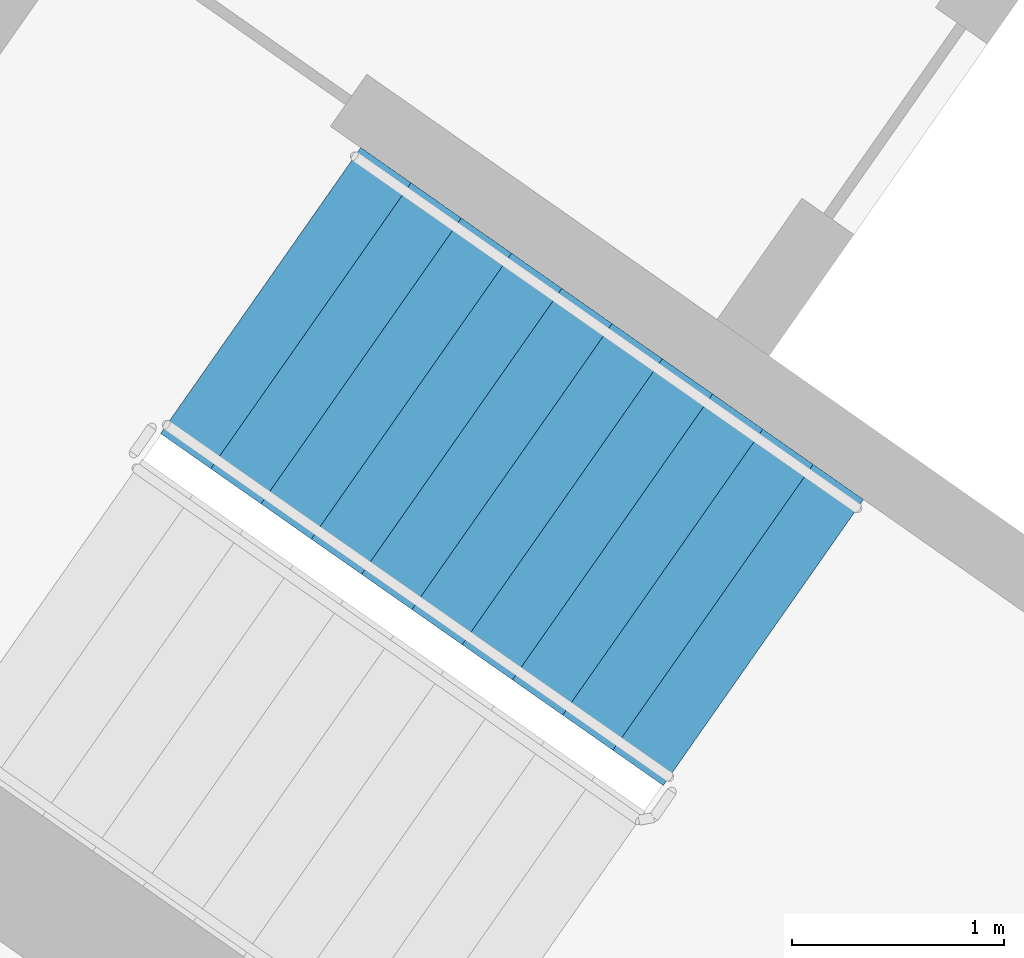
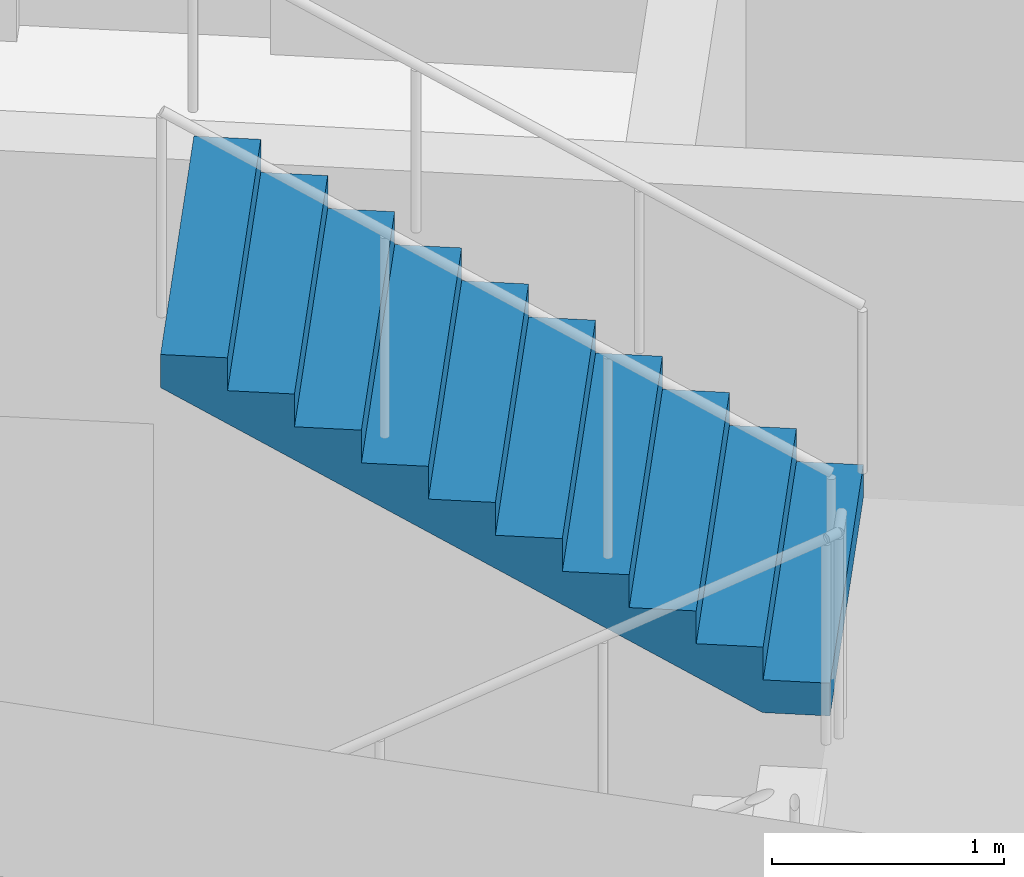
# One storey, part 10 of 26: 1 stair flight, 1 element without a shape of its own.
"""IFC4 building model written with IfcOpenShell, lengths in metres."""

from ifc_helpers import new_model, si_unit, direction, frame, origin, place, context, subcontext, project, spatial, faceted_brep, material, type_object, element, aggregate, save


model = new_model("IFC4")

# Units and contexts
model_context = context("Model", 3, precision=1e-05, world=origin(), true_north=direction((0.0, 1.0)))
body_context = subcontext(model_context, "Body", "Model", "MODEL_VIEW")
ifc_project = project(units=[si_unit("LENGTHUNIT", "METRE"), si_unit("AREAUNIT", "SQUARE_METRE"), si_unit("VOLUMEUNIT", "CUBIC_METRE"), si_unit("PLANEANGLEUNIT", "RADIAN"), si_unit("MASSUNIT", "GRAM", prefix="KILO")], contexts=[model_context])

# Site, building, storey
site_placement = place(None, origin())
site = spatial("IfcSite", under=ifc_project, at=site_placement, CompositionType="ELEMENT")
building_placement = place(site_placement, origin())
building = spatial("IfcBuilding", under=site, at=building_placement, Name="Qamariyya Broadcast Tower", CompositionType="ELEMENT")
storey_placement = place(building_placement, frame((0.0, 0.0, 160.699951171875)))
storey = spatial("IfcBuildingStorey", under=building, at=storey_placement, Name="L37", CompositionType="ELEMENT", Elevation=160.699951171875)

# Stair, stair flight
ifc_material = material(Name="Concrete C50/60", Category="concrete")
stair_type = type_object("IfcStairType", Name="Exit stair 22 risers of 173 mm", PredefinedType="HALF_TURN_STAIR", material=ifc_material)
stair_placement = place(storey_placement, origin())
stair = element("IfcStair", 1, at=stair_placement, inside=storey, type_object=stair_type, Name="L37 Stair W1", PredefinedType="HALF_TURN_STAIR")
stair_flight_type = type_object("IfcStairFlightType", Name="Exit stair flight 11 risers of 173 mm", PredefinedType="STRAIGHT", material=ifc_material)
stair_flight_placement = place(storey_placement, frame((-43.660888671875, -57.17138671875, 1.900146484375), z_axis=(0.0, 0.0, 1.0), x_axis=(-0.819152044289, 0.573576436351, 0.0)))
stair_flight = element("IfcStairFlight", 2, at=stair_flight_placement, type_object=stair_flight_type, Name="ST-W1 flight 2", NumberOfRisers=11, NumberOfTreads=10, PredefinedType="STRAIGHT", RiserHeight=0.172727273, TreadLength=0.29, context=body_context, shape_type="Brep", body=[
    faceted_brep([(0.0, 0.824951171875, 0.0), (0.0, 0.824951171875, 0.172607421875), (0.2900390625, 0.824951171875, 0.172607421875), (0.2900390625, 0.824951171875, 0.345458984375), (0.580078125, 0.824951171875, 0.345458984375), (0.580078125, 0.824951171875, 0.51806640625), (0.8701171875, 0.824951171875, 0.51806640625), (0.8701171875, 0.824951171875, 0.69091796875), (1.159912109375, 0.824951171875, 0.69091796875), (1.159912109375, 0.824951171875, 0.863525390625), (1.449951171875, 0.824951171875, 0.863525390625), (1.449951171875, 0.824951171875, 1.036376953125), (1.739990234375, 0.824951171875, 1.036376953125), (1.739990234375, 0.824951171875, 1.208984375), (2.030029296875, 0.824951171875, 1.208984375), (2.030029296875, 0.824951171875, 1.3818359375), (2.320068359375, 0.824951171875, 1.3818359375), (2.320068359375, 0.824951171875, 1.554443359375), (2.610107421875, 0.824951171875, 1.554443359375), (2.610107421875, 0.824951171875, 1.727294921875), (2.89990234375, 0.824951171875, 1.727294921875), (2.89990234375, 0.824951171875, 1.552734375), (0.29296875, 0.824951171875, 0.0), (0.29296875, -0.824951171875, 0.0), (2.89990234375, -0.824951171875, 1.552734375), (2.89990234375, -0.824951171875, 1.727294921875), (2.610107421875, -0.824951171875, 1.727294921875), (2.610107421875, -0.824951171875, 1.554443359375), (2.320068359375, -0.824951171875, 1.554443359375), (2.320068359375, -0.824951171875, 1.3818359375), (2.030029296875, -0.824951171875, 1.3818359375), (2.030029296875, -0.824951171875, 1.208984375), (1.739990234375, -0.824951171875, 1.208984375), (1.739990234375, -0.824951171875, 1.036376953125), (1.449951171875, -0.824951171875, 1.036376953125), (1.449951171875, -0.824951171875, 0.863525390625), (1.159912109375, -0.824951171875, 0.863525390625), (1.159912109375, -0.824951171875, 0.69091796875), (0.8701171875, -0.824951171875, 0.69091796875), (0.8701171875, -0.824951171875, 0.51806640625), (0.580078125, -0.824951171875, 0.51806640625), (0.580078125, -0.824951171875, 0.345458984375), (0.2900390625, -0.824951171875, 0.345458984375), (0.2900390625, -0.824951171875, 0.172607421875), (0.0, -0.824951171875, 0.172607421875), (0.0, -0.824951171875, 0.0), (0.0, 0.10009765625, 0.0), (0.0, 0.086669921875, 0.0), (0.0, 0.0732421875, 0.0), (0.0, 0.06005859375, 0.0), (0.0, 0.046630859375, 0.0), (0.0, 0.033447265625, 0.0), (0.0, 0.02001953125, 0.0), (0.0, 0.006591796875, 0.0), (0.0, -0.006591796875, 0.0), (0.0, -0.02001953125, 0.0), (0.0, -0.033447265625, 0.0), (0.0, -0.046630859375, 0.0), (0.0, -0.06005859375, 0.0), (0.0, -0.0732421875, 0.0), (0.0, -0.086669921875, 0.0), (0.0, -0.10009765625, 0.0), (0.0, -0.10009765625, 0.172607421875), (0.0, -0.086669921875, 0.172607421875), (0.0, -0.0732421875, 0.172607421875), (0.0, -0.06005859375, 0.172607421875), (0.0, -0.046630859375, 0.172607421875), (0.0, -0.033447265625, 0.172607421875), (0.0, -0.02001953125, 0.172607421875), (0.0, -0.006591796875, 0.172607421875), (0.0, 0.006591796875, 0.172607421875), (0.0, 0.02001953125, 0.172607421875), (0.0, 0.033447265625, 0.172607421875), (0.0, 0.046630859375, 0.172607421875), (0.0, 0.06005859375, 0.172607421875), (0.0, 0.0732421875, 0.172607421875), (0.0, 0.086669921875, 0.172607421875), (0.0, 0.10009765625, 0.172607421875), (0.2900390625, -0.10009765625, 0.172607421875), (0.2900390625, -0.086669921875, 0.172607421875), (0.2900390625, -0.0732421875, 0.172607421875), (0.2900390625, -0.06005859375, 0.172607421875), (0.2900390625, -0.046630859375, 0.172607421875), (0.2900390625, -0.033447265625, 0.172607421875), (0.2900390625, -0.02001953125, 0.172607421875), (0.2900390625, -0.006591796875, 0.172607421875), (0.2900390625, 0.006591796875, 0.172607421875), (0.2900390625, 0.02001953125, 0.172607421875), (0.2900390625, 0.033447265625, 0.172607421875), (0.2900390625, 0.046630859375, 0.172607421875), (0.2900390625, 0.06005859375, 0.172607421875), (0.2900390625, 0.0732421875, 0.172607421875), (0.2900390625, 0.086669921875, 0.172607421875), (0.2900390625, 0.10009765625, 0.172607421875), (0.2900390625, -0.10009765625, 0.345458984375), (0.2900390625, -0.086669921875, 0.345458984375), (0.2900390625, -0.0732421875, 0.345458984375), (0.2900390625, -0.06005859375, 0.345458984375), (0.2900390625, -0.046630859375, 0.345458984375), (0.2900390625, -0.033447265625, 0.345458984375), (0.2900390625, -0.02001953125, 0.345458984375), (0.2900390625, -0.006591796875, 0.345458984375), (0.2900390625, 0.006591796875, 0.345458984375), (0.2900390625, 0.02001953125, 0.345458984375), (0.2900390625, 0.033447265625, 0.345458984375), (0.2900390625, 0.046630859375, 0.345458984375), (0.2900390625, 0.06005859375, 0.345458984375), (0.2900390625, 0.0732421875, 0.345458984375), (0.2900390625, 0.086669921875, 0.345458984375), (0.2900390625, 0.10009765625, 0.345458984375), (0.580078125, -0.10009765625, 0.345458984375), (0.580078125, -0.086669921875, 0.345458984375), (0.580078125, -0.0732421875, 0.345458984375), (0.580078125, -0.06005859375, 0.345458984375), (0.580078125, -0.046630859375, 0.345458984375), (0.580078125, -0.033447265625, 0.345458984375), (0.580078125, -0.02001953125, 0.345458984375), (0.580078125, -0.006591796875, 0.345458984375), (0.580078125, 0.006591796875, 0.345458984375), (0.580078125, 0.02001953125, 0.345458984375), (0.580078125, 0.033447265625, 0.345458984375), (0.580078125, 0.046630859375, 0.345458984375), (0.580078125, 0.06005859375, 0.345458984375), (0.580078125, 0.0732421875, 0.345458984375), (0.580078125, 0.086669921875, 0.345458984375), (0.580078125, 0.10009765625, 0.345458984375), (0.580078125, -0.10009765625, 0.51806640625), (0.580078125, -0.086669921875, 0.51806640625), (0.580078125, -0.0732421875, 0.51806640625), (0.580078125, -0.06005859375, 0.51806640625), (0.580078125, -0.046630859375, 0.51806640625), (0.580078125, -0.033447265625, 0.51806640625), (0.580078125, -0.02001953125, 0.51806640625), (0.580078125, -0.006591796875, 0.51806640625), (0.580078125, 0.006591796875, 0.51806640625), (0.580078125, 0.02001953125, 0.51806640625), (0.580078125, 0.033447265625, 0.51806640625), (0.580078125, 0.046630859375, 0.51806640625), (0.580078125, 0.06005859375, 0.51806640625), (0.580078125, 0.0732421875, 0.51806640625), (0.580078125, 0.086669921875, 0.51806640625), (0.580078125, 0.10009765625, 0.51806640625), (0.8701171875, -0.10009765625, 0.51806640625), (0.8701171875, -0.086669921875, 0.51806640625), (0.8701171875, -0.0732421875, 0.51806640625), (0.8701171875, -0.06005859375, 0.51806640625), (0.8701171875, -0.046630859375, 0.51806640625), (0.8701171875, -0.033447265625, 0.51806640625), (0.8701171875, -0.02001953125, 0.51806640625), (0.8701171875, -0.006591796875, 0.51806640625), (0.8701171875, 0.006591796875, 0.51806640625), (0.8701171875, 0.02001953125, 0.51806640625), (0.8701171875, 0.033447265625, 0.51806640625), (0.8701171875, 0.046630859375, 0.51806640625), (0.8701171875, 0.06005859375, 0.51806640625), (0.8701171875, 0.0732421875, 0.51806640625), (0.8701171875, 0.086669921875, 0.51806640625), (0.8701171875, 0.10009765625, 0.51806640625), (0.8701171875, -0.10009765625, 0.69091796875), (0.8701171875, -0.086669921875, 0.69091796875), (0.8701171875, -0.0732421875, 0.69091796875), (0.8701171875, -0.06005859375, 0.69091796875), (0.8701171875, -0.046630859375, 0.69091796875), (0.8701171875, -0.033447265625, 0.69091796875), (0.8701171875, -0.02001953125, 0.69091796875), (0.8701171875, -0.006591796875, 0.69091796875), (0.8701171875, 0.006591796875, 0.69091796875), (0.8701171875, 0.02001953125, 0.69091796875), (0.8701171875, 0.033447265625, 0.69091796875), (0.8701171875, 0.046630859375, 0.69091796875), (0.8701171875, 0.06005859375, 0.69091796875), (0.8701171875, 0.0732421875, 0.69091796875), (0.8701171875, 0.086669921875, 0.69091796875), (0.8701171875, 0.10009765625, 0.69091796875), (1.159912109375, -0.10009765625, 0.69091796875), (1.159912109375, -0.086669921875, 0.69091796875), (1.159912109375, -0.0732421875, 0.69091796875), (1.159912109375, -0.06005859375, 0.69091796875), (1.159912109375, -0.046630859375, 0.69091796875), (1.159912109375, -0.033447265625, 0.69091796875), (1.159912109375, -0.02001953125, 0.69091796875), (1.159912109375, -0.006591796875, 0.69091796875), (1.159912109375, 0.006591796875, 0.69091796875), (1.159912109375, 0.02001953125, 0.69091796875), (1.159912109375, 0.033447265625, 0.69091796875), (1.159912109375, 0.046630859375, 0.69091796875), (1.159912109375, 0.06005859375, 0.69091796875), (1.159912109375, 0.0732421875, 0.69091796875), (1.159912109375, 0.086669921875, 0.69091796875), (1.159912109375, 0.10009765625, 0.69091796875), (1.159912109375, -0.10009765625, 0.863525390625), (1.159912109375, -0.086669921875, 0.863525390625), (1.159912109375, -0.0732421875, 0.863525390625), (1.159912109375, -0.06005859375, 0.863525390625), (1.159912109375, -0.046630859375, 0.863525390625), (1.159912109375, -0.033447265625, 0.863525390625), (1.159912109375, -0.02001953125, 0.863525390625), (1.159912109375, -0.006591796875, 0.863525390625), (1.159912109375, 0.006591796875, 0.863525390625), (1.159912109375, 0.02001953125, 0.863525390625), (1.159912109375, 0.033447265625, 0.863525390625), (1.159912109375, 0.046630859375, 0.863525390625), (1.159912109375, 0.06005859375, 0.863525390625), (1.159912109375, 0.0732421875, 0.863525390625), (1.159912109375, 0.086669921875, 0.863525390625), (1.159912109375, 0.10009765625, 0.863525390625), (1.449951171875, -0.10009765625, 0.863525390625), (1.449951171875, -0.086669921875, 0.863525390625), (1.449951171875, -0.0732421875, 0.863525390625), (1.449951171875, -0.06005859375, 0.863525390625), (1.449951171875, -0.046630859375, 0.863525390625), (1.449951171875, -0.033447265625, 0.863525390625), (1.449951171875, -0.02001953125, 0.863525390625), (1.449951171875, -0.006591796875, 0.863525390625), (1.449951171875, 0.006591796875, 0.863525390625), (1.449951171875, 0.02001953125, 0.863525390625), (1.449951171875, 0.033447265625, 0.863525390625), (1.449951171875, 0.046630859375, 0.863525390625), (1.449951171875, 0.06005859375, 0.863525390625), (1.449951171875, 0.0732421875, 0.863525390625), (1.449951171875, 0.086669921875, 0.863525390625), (1.449951171875, 0.10009765625, 0.863525390625), (1.449951171875, -0.10009765625, 1.036376953125), (1.449951171875, -0.086669921875, 1.036376953125), (1.449951171875, -0.0732421875, 1.036376953125), (1.449951171875, -0.06005859375, 1.036376953125), (1.449951171875, -0.046630859375, 1.036376953125), (1.449951171875, -0.033447265625, 1.036376953125), (1.449951171875, -0.02001953125, 1.036376953125), (1.449951171875, -0.006591796875, 1.036376953125), (1.449951171875, 0.006591796875, 1.036376953125), (1.449951171875, 0.02001953125, 1.036376953125), (1.449951171875, 0.033447265625, 1.036376953125), (1.449951171875, 0.046630859375, 1.036376953125), (1.449951171875, 0.06005859375, 1.036376953125), (1.449951171875, 0.0732421875, 1.036376953125), (1.449951171875, 0.086669921875, 1.036376953125), (1.449951171875, 0.10009765625, 1.036376953125), (1.739990234375, -0.10009765625, 1.036376953125), (1.739990234375, -0.086669921875, 1.036376953125), (1.739990234375, -0.0732421875, 1.036376953125), (1.739990234375, -0.06005859375, 1.036376953125), (1.739990234375, -0.046630859375, 1.036376953125), (1.739990234375, -0.033447265625, 1.036376953125), (1.739990234375, -0.02001953125, 1.036376953125), (1.739990234375, -0.006591796875, 1.036376953125), (1.739990234375, 0.006591796875, 1.036376953125), (1.739990234375, 0.02001953125, 1.036376953125), (1.739990234375, 0.033447265625, 1.036376953125), (1.739990234375, 0.046630859375, 1.036376953125), (1.739990234375, 0.06005859375, 1.036376953125), (1.739990234375, 0.0732421875, 1.036376953125), (1.739990234375, 0.086669921875, 1.036376953125), (1.739990234375, 0.10009765625, 1.036376953125), (1.739990234375, -0.10009765625, 1.208984375), (1.739990234375, -0.086669921875, 1.208984375), (1.739990234375, -0.0732421875, 1.208984375), (1.739990234375, -0.06005859375, 1.208984375), (1.739990234375, -0.046630859375, 1.208984375), (1.739990234375, -0.033447265625, 1.208984375), (1.739990234375, -0.02001953125, 1.208984375), (1.739990234375, -0.006591796875, 1.208984375), (1.739990234375, 0.006591796875, 1.208984375), (1.739990234375, 0.02001953125, 1.208984375), (1.739990234375, 0.033447265625, 1.208984375), (1.739990234375, 0.046630859375, 1.208984375), (1.739990234375, 0.06005859375, 1.208984375), (1.739990234375, 0.0732421875, 1.208984375), (1.739990234375, 0.086669921875, 1.208984375), (1.739990234375, 0.10009765625, 1.208984375), (2.030029296875, -0.10009765625, 1.208984375), (2.030029296875, -0.086669921875, 1.208984375), (2.030029296875, -0.0732421875, 1.208984375), (2.030029296875, -0.06005859375, 1.208984375), (2.030029296875, -0.046630859375, 1.208984375), (2.030029296875, -0.033447265625, 1.208984375), (2.030029296875, -0.02001953125, 1.208984375), (2.030029296875, -0.006591796875, 1.208984375), (2.030029296875, 0.006591796875, 1.208984375), (2.030029296875, 0.02001953125, 1.208984375), (2.030029296875, 0.033447265625, 1.208984375), (2.030029296875, 0.046630859375, 1.208984375), (2.030029296875, 0.06005859375, 1.208984375), (2.030029296875, 0.0732421875, 1.208984375), (2.030029296875, 0.086669921875, 1.208984375), (2.030029296875, 0.10009765625, 1.208984375), (2.030029296875, -0.10009765625, 1.3818359375), (2.030029296875, -0.086669921875, 1.3818359375), (2.030029296875, -0.0732421875, 1.3818359375), (2.030029296875, -0.06005859375, 1.3818359375), (2.030029296875, -0.046630859375, 1.3818359375), (2.030029296875, -0.033447265625, 1.3818359375), (2.030029296875, -0.02001953125, 1.3818359375), (2.030029296875, -0.006591796875, 1.3818359375), (2.030029296875, 0.006591796875, 1.3818359375), (2.030029296875, 0.02001953125, 1.3818359375), (2.030029296875, 0.033447265625, 1.3818359375), (2.030029296875, 0.046630859375, 1.3818359375), (2.030029296875, 0.06005859375, 1.3818359375), (2.030029296875, 0.0732421875, 1.3818359375), (2.030029296875, 0.086669921875, 1.3818359375), (2.030029296875, 0.10009765625, 1.3818359375), (2.320068359375, -0.10009765625, 1.3818359375), (2.320068359375, -0.086669921875, 1.3818359375), (2.320068359375, -0.0732421875, 1.3818359375), (2.320068359375, -0.06005859375, 1.3818359375), (2.320068359375, -0.046630859375, 1.3818359375), (2.320068359375, -0.033447265625, 1.3818359375), (2.320068359375, -0.02001953125, 1.3818359375), (2.320068359375, -0.006591796875, 1.3818359375), (2.320068359375, 0.006591796875, 1.3818359375), (2.320068359375, 0.02001953125, 1.3818359375), (2.320068359375, 0.033447265625, 1.3818359375), (2.320068359375, 0.046630859375, 1.3818359375), (2.320068359375, 0.06005859375, 1.3818359375), (2.320068359375, 0.0732421875, 1.3818359375), (2.320068359375, 0.086669921875, 1.3818359375), (2.320068359375, 0.10009765625, 1.3818359375), (2.320068359375, -0.10009765625, 1.554443359375), (2.320068359375, -0.086669921875, 1.554443359375), (2.320068359375, -0.0732421875, 1.554443359375), (2.320068359375, -0.06005859375, 1.554443359375), (2.320068359375, -0.046630859375, 1.554443359375), (2.320068359375, -0.033447265625, 1.554443359375), (2.320068359375, -0.02001953125, 1.554443359375), (2.320068359375, -0.006591796875, 1.554443359375), (2.320068359375, 0.006591796875, 1.554443359375), (2.320068359375, 0.02001953125, 1.554443359375), (2.320068359375, 0.033447265625, 1.554443359375), (2.320068359375, 0.046630859375, 1.554443359375), (2.320068359375, 0.06005859375, 1.554443359375), (2.320068359375, 0.0732421875, 1.554443359375), (2.320068359375, 0.086669921875, 1.554443359375), (2.320068359375, 0.10009765625, 1.554443359375), (2.610107421875, -0.10009765625, 1.554443359375), (2.610107421875, -0.086669921875, 1.554443359375), (2.610107421875, -0.0732421875, 1.554443359375), (2.610107421875, -0.06005859375, 1.554443359375), (2.610107421875, -0.046630859375, 1.554443359375), (2.610107421875, -0.033447265625, 1.554443359375), (2.610107421875, -0.02001953125, 1.554443359375), (2.610107421875, -0.006591796875, 1.554443359375), (2.610107421875, 0.006591796875, 1.554443359375), (2.610107421875, 0.02001953125, 1.554443359375), (2.610107421875, 0.033447265625, 1.554443359375), (2.610107421875, 0.046630859375, 1.554443359375), (2.610107421875, 0.06005859375, 1.554443359375), (2.610107421875, 0.0732421875, 1.554443359375), (2.610107421875, 0.086669921875, 1.554443359375), (2.610107421875, 0.10009765625, 1.554443359375), (2.610107421875, -0.10009765625, 1.727294921875), (2.610107421875, -0.086669921875, 1.727294921875), (2.610107421875, -0.0732421875, 1.727294921875), (2.610107421875, -0.06005859375, 1.727294921875), (2.610107421875, -0.046630859375, 1.727294921875), (2.610107421875, -0.033447265625, 1.727294921875), (2.610107421875, -0.02001953125, 1.727294921875), (2.610107421875, -0.006591796875, 1.727294921875), (2.610107421875, 0.006591796875, 1.727294921875), (2.610107421875, 0.02001953125, 1.727294921875), (2.610107421875, 0.033447265625, 1.727294921875), (2.610107421875, 0.046630859375, 1.727294921875), (2.610107421875, 0.06005859375, 1.727294921875), (2.610107421875, 0.0732421875, 1.727294921875), (2.610107421875, 0.086669921875, 1.727294921875), (2.610107421875, 0.10009765625, 1.727294921875), (2.89990234375, -0.10009765625, 1.727294921875), (2.89990234375, -0.086669921875, 1.727294921875), (2.89990234375, -0.0732421875, 1.727294921875), (2.89990234375, -0.06005859375, 1.727294921875), (2.89990234375, -0.046630859375, 1.727294921875), (2.89990234375, -0.033447265625, 1.727294921875), (2.89990234375, -0.02001953125, 1.727294921875), (2.89990234375, -0.006591796875, 1.727294921875), (2.89990234375, 0.006591796875, 1.727294921875), (2.89990234375, 0.02001953125, 1.727294921875), (2.89990234375, 0.033447265625, 1.727294921875), (2.89990234375, 0.046630859375, 1.727294921875), (2.89990234375, 0.06005859375, 1.727294921875), (2.89990234375, 0.0732421875, 1.727294921875), (2.89990234375, 0.086669921875, 1.727294921875), (2.89990234375, 0.10009765625, 1.727294921875), (2.89990234375, -0.10009765625, 1.552734375), (2.89990234375, -0.086669921875, 1.552734375), (2.89990234375, -0.0732421875, 1.552734375), (2.89990234375, -0.06005859375, 1.552734375), (2.89990234375, -0.046630859375, 1.552734375), (2.89990234375, -0.033447265625, 1.552734375), (2.89990234375, -0.02001953125, 1.552734375), (2.89990234375, -0.006591796875, 1.552734375), (2.89990234375, 0.006591796875, 1.552734375), (2.89990234375, 0.02001953125, 1.552734375), (2.89990234375, 0.033447265625, 1.552734375), (2.89990234375, 0.046630859375, 1.552734375), (2.89990234375, 0.06005859375, 1.552734375), (2.89990234375, 0.0732421875, 1.552734375), (2.89990234375, 0.086669921875, 1.552734375), (2.89990234375, 0.10009765625, 1.552734375), (0.29296875, -0.10009765625, 0.0), (0.29296875, -0.086669921875, 0.0), (0.29296875, -0.0732421875, 0.0), (0.29296875, -0.06005859375, 0.0), (0.29296875, -0.046630859375, 0.0), (0.29296875, -0.033447265625, 0.0), (0.29296875, -0.02001953125, 0.0), (0.29296875, -0.006591796875, 0.0), (0.29296875, 0.006591796875, 0.0), (0.29296875, 0.02001953125, 0.0), (0.29296875, 0.033447265625, 0.0), (0.29296875, 0.046630859375, 0.0), (0.29296875, 0.06005859375, 0.0), (0.29296875, 0.0732421875, 0.0), (0.29296875, 0.086669921875, 0.0), (0.29296875, 0.10009765625, 0.0)], [[[0, 1, 2, 3, 4, 5, 6, 7, 8, 9, 10, 11, 12, 13, 14, 15, 16, 17, 18, 19, 20, 21, 22]], [[23, 24, 25, 26, 27, 28, 29, 30, 31, 32, 33, 34, 35, 36, 37, 38, 39, 40, 41, 42, 43, 44, 45]], [[0, 46, 47, 48, 49, 50, 51, 52, 53, 54, 55, 56, 57, 58, 59, 60, 61, 45, 44, 62, 63, 64, 65, 66, 67, 68, 69, 70, 71, 72, 73, 74, 75, 76, 77, 1]], [[1, 77, 76, 75, 74, 73, 72, 71, 70, 69, 68, 67, 66, 65, 64, 63, 62, 44, 43, 78, 79, 80, 81, 82, 83, 84, 85, 86, 87, 88, 89, 90, 91, 92, 93, 2]], [[2, 93, 92, 91, 90, 89, 88, 87, 86, 85, 84, 83, 82, 81, 80, 79, 78, 43, 42, 94, 95, 96, 97, 98, 99, 100, 101, 102, 103, 104, 105, 106, 107, 108, 109, 3]], [[3, 109, 108, 107, 106, 105, 104, 103, 102, 101, 100, 99, 98, 97, 96, 95, 94, 42, 41, 110, 111, 112, 113, 114, 115, 116, 117, 118, 119, 120, 121, 122, 123, 124, 125, 4]], [[4, 125, 124, 123, 122, 121, 120, 119, 118, 117, 116, 115, 114, 113, 112, 111, 110, 41, 40, 126, 127, 128, 129, 130, 131, 132, 133, 134, 135, 136, 137, 138, 139, 140, 141, 5]], [[5, 141, 140, 139, 138, 137, 136, 135, 134, 133, 132, 131, 130, 129, 128, 127, 126, 40, 39, 142, 143, 144, 145, 146, 147, 148, 149, 150, 151, 152, 153, 154, 155, 156, 157, 6]], [[6, 157, 156, 155, 154, 153, 152, 151, 150, 149, 148, 147, 146, 145, 144, 143, 142, 39, 38, 158, 159, 160, 161, 162, 163, 164, 165, 166, 167, 168, 169, 170, 171, 172, 173, 7]], [[7, 173, 172, 171, 170, 169, 168, 167, 166, 165, 164, 163, 162, 161, 160, 159, 158, 38, 37, 174, 175, 176, 177, 178, 179, 180, 181, 182, 183, 184, 185, 186, 187, 188, 189, 8]], [[8, 189, 188, 187, 186, 185, 184, 183, 182, 181, 180, 179, 178, 177, 176, 175, 174, 37, 36, 190, 191, 192, 193, 194, 195, 196, 197, 198, 199, 200, 201, 202, 203, 204, 205, 9]], [[9, 205, 204, 203, 202, 201, 200, 199, 198, 197, 196, 195, 194, 193, 192, 191, 190, 36, 35, 206, 207, 208, 209, 210, 211, 212, 213, 214, 215, 216, 217, 218, 219, 220, 221, 10]], [[10, 221, 220, 219, 218, 217, 216, 215, 214, 213, 212, 211, 210, 209, 208, 207, 206, 35, 34, 222, 223, 224, 225, 226, 227, 228, 229, 230, 231, 232, 233, 234, 235, 236, 237, 11]], [[11, 237, 236, 235, 234, 233, 232, 231, 230, 229, 228, 227, 226, 225, 224, 223, 222, 34, 33, 238, 239, 240, 241, 242, 243, 244, 245, 246, 247, 248, 249, 250, 251, 252, 253, 12]], [[12, 253, 252, 251, 250, 249, 248, 247, 246, 245, 244, 243, 242, 241, 240, 239, 238, 33, 32, 254, 255, 256, 257, 258, 259, 260, 261, 262, 263, 264, 265, 266, 267, 268, 269, 13]], [[13, 269, 268, 267, 266, 265, 264, 263, 262, 261, 260, 259, 258, 257, 256, 255, 254, 32, 31, 270, 271, 272, 273, 274, 275, 276, 277, 278, 279, 280, 281, 282, 283, 284, 285, 14]], [[14, 285, 284, 283, 282, 281, 280, 279, 278, 277, 276, 275, 274, 273, 272, 271, 270, 31, 30, 286, 287, 288, 289, 290, 291, 292, 293, 294, 295, 296, 297, 298, 299, 300, 301, 15]], [[15, 301, 300, 299, 298, 297, 296, 295, 294, 293, 292, 291, 290, 289, 288, 287, 286, 30, 29, 302, 303, 304, 305, 306, 307, 308, 309, 310, 311, 312, 313, 314, 315, 316, 317, 16]], [[16, 317, 316, 315, 314, 313, 312, 311, 310, 309, 308, 307, 306, 305, 304, 303, 302, 29, 28, 318, 319, 320, 321, 322, 323, 324, 325, 326, 327, 328, 329, 330, 331, 332, 333, 17]], [[17, 333, 332, 331, 330, 329, 328, 327, 326, 325, 324, 323, 322, 321, 320, 319, 318, 28, 27, 334, 335, 336, 337, 338, 339, 340, 341, 342, 343, 344, 345, 346, 347, 348, 349, 18]], [[18, 349, 348, 347, 346, 345, 344, 343, 342, 341, 340, 339, 338, 337, 336, 335, 334, 27, 26, 350, 351, 352, 353, 354, 355, 356, 357, 358, 359, 360, 361, 362, 363, 364, 365, 19]], [[19, 365, 364, 363, 362, 361, 360, 359, 358, 357, 356, 355, 354, 353, 352, 351, 350, 26, 25, 366, 367, 368, 369, 370, 371, 372, 373, 374, 375, 376, 377, 378, 379, 380, 381, 20]], [[20, 381, 380, 379, 378, 377, 376, 375, 374, 373, 372, 371, 370, 369, 368, 367, 366, 25, 24, 382, 383, 384, 385, 386, 387, 388, 389, 390, 391, 392, 393, 394, 395, 396, 397, 21]], [[21, 397, 396, 395, 394, 393, 392, 391, 390, 389, 388, 387, 386, 385, 384, 383, 382, 24, 23, 398, 399, 400, 401, 402, 403, 404, 405, 406, 407, 408, 409, 410, 411, 412, 413, 22]], [[22, 413, 412, 411, 410, 409, 408, 407, 406, 405, 404, 403, 402, 401, 400, 399, 398, 23, 45, 61, 60, 59, 58, 57, 56, 55, 54, 53, 52, 51, 50, 49, 48, 47, 46, 0]]]),
])
aggregate(stair, [stair_flight])

save(model, "model.ifc")
